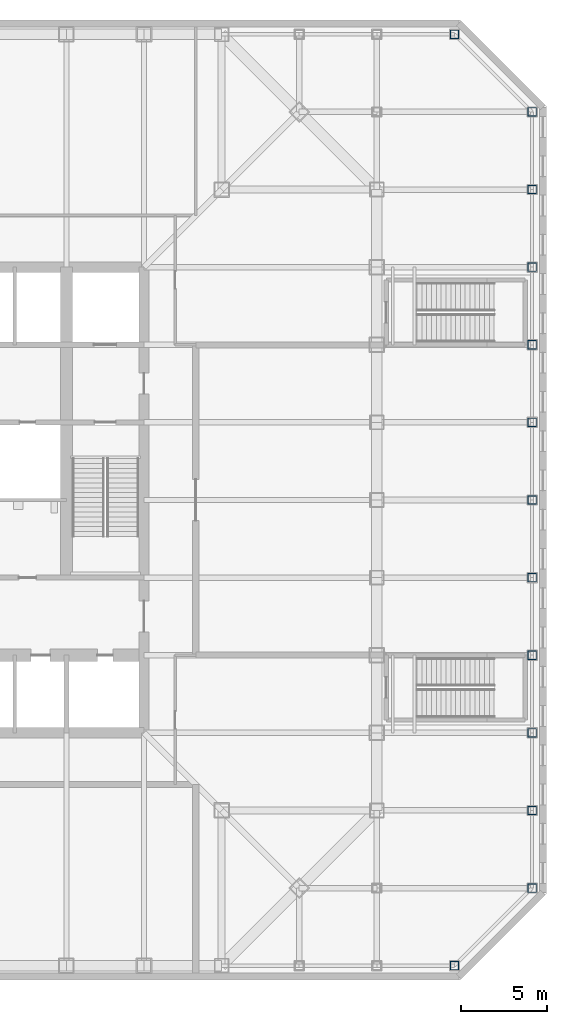
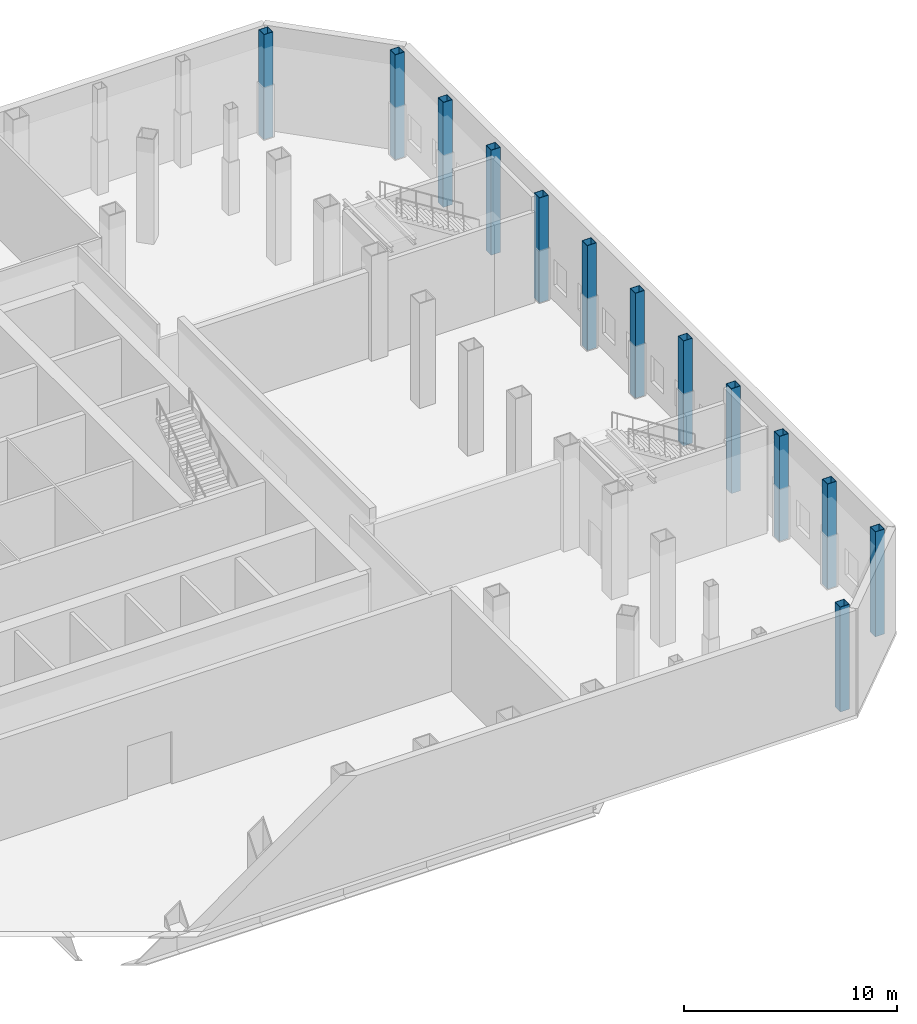
# One storey, part 3 of 13: 13 columns.
"""IFC4 building model written with IfcOpenShell, lengths in metres."""

from ifc_helpers import new_model, si_unit, direction, frame, origin, origin_2d, place, context, subcontext, project, spatial, hollow_rectangle, extrude, material, material_profile, profile_set, type_object, element, save


model = new_model("IFC4")

# Units and contexts
model_context = context("Model", 3, precision=1e-05, world=origin(), true_north=direction((0.0, 1.0)))
body_context = subcontext(model_context, "Body", "Model", "MODEL_VIEW")
ifc_project = project(units=[si_unit("LENGTHUNIT", "METRE"), si_unit("AREAUNIT", "SQUARE_METRE"), si_unit("VOLUMEUNIT", "CUBIC_METRE"), si_unit("PLANEANGLEUNIT", "RADIAN"), si_unit("MASSUNIT", "GRAM", prefix="KILO")], contexts=[model_context])

# Site, building, storey
site_placement = place(None, origin())
site = spatial("IfcSite", under=ifc_project, at=site_placement, CompositionType="ELEMENT")
building_placement = place(site_placement, origin())
building = spatial("IfcBuilding", under=site, at=building_placement, Name="Corais Broadcast Tower", CompositionType="ELEMENT")
storey_placement = place(building_placement, frame((0.0, 0.0, 12.0)))
storey = spatial("IfcBuildingStorey", under=building, at=storey_placement, Name="L02", CompositionType="ELEMENT", Elevation=12.0)

# Columns
ifc_material = material(Name="Steel ASTM A572 Grade 50", Category="steel")
ifc_material_profile = material_profile(ifc_material, hollow_rectangle(XDim=0.5, YDim=0.5, WallThickness=0.02197265625, at=origin_2d()), Name="BOX 500x500x22")
ifc_profile_set = profile_set([ifc_material_profile], Name="Steel ASTM A572 Grade 50")
column_type = type_object("IfcColumnType", Name="Column BOX 500x500x22", PredefinedType="COLUMN", material=ifc_profile_set)
for number, where, z_axis, x_axis, name in (
    (1, (63.0, 4.5, 0.0), (0.0, 0.0, 1.0), (1.0, 0.0, 0.0), "C9 B/17"),
    (2, (63.0, 9.0, 0.0), (0.0, 0.0, 1.0), (1.0, 0.0, 0.0), "C9 C/17"),
    (3, (63.0, 13.5, 0.0), (0.0, 0.0, 1.0), (1.0, 0.0, 0.0), "C9 D/17"),
    (4, (63.0, 18.0, 0.0), (0.0, 0.0, 1.0), (1.0, 0.0, 0.0), "C9 E/17"),
    (5, (63.0, 22.5, 0.0), (0.0, 0.0, 1.0), (1.0, 0.0, 0.0), "C9 F/17"),
    (6, (63.0, 27.0, 0.0), (0.0, 0.0, 1.0), (1.0, 0.0, 0.0), "C9 G/17"),
    (7, (63.0, 31.5, 0.0), (0.0, 0.0, 1.0), (1.0, 0.0, 0.0), "C9 H/17"),
    (8, (63.0, 36.0, 0.0), (0.0, 0.0, 1.0), (1.0, 0.0, 0.0), "C9 J/17"),
    (9, (63.0, 40.5, 0.0), (0.0, 0.0, 1.0), (1.0, 0.0, 0.0), "C9 K/17"),
    (10, (63.0, 45.0, 0.0), (0.0, 0.0, 1.0), (1.0, 0.0, 0.0), "C9 L/17"),
    (11, (63.0, 49.5, 0.0), (0.0, 0.0, 1.0), (1.0, 0.0, 0.0), "C9 M/17"),
    (12, (58.5, 0.0, 0.0), (0.0, 0.0, 1.0), (1.0, 0.0, 0.0), "C9 A/16"),
    (13, (58.5, 54.0, 0.0), (0.0, 0.0, 1.0), (1.0, 0.0, 0.0), "C9 N/16"),
):
    element("IfcColumn", number, at=place(storey_placement, frame(where, z_axis=z_axis, x_axis=x_axis)), inside=storey, type_object=column_type, Name=name, PredefinedType="COLUMN", context=body_context, shape_type="SweptSolid", body=[
        extrude(hollow_rectangle(XDim=0.5, YDim=0.5, WallThickness=0.02197265625, at=origin_2d()), origin(), (0.0, 0.0, 1.0), 6.0),
    ])

save(model, "model.ifc")
